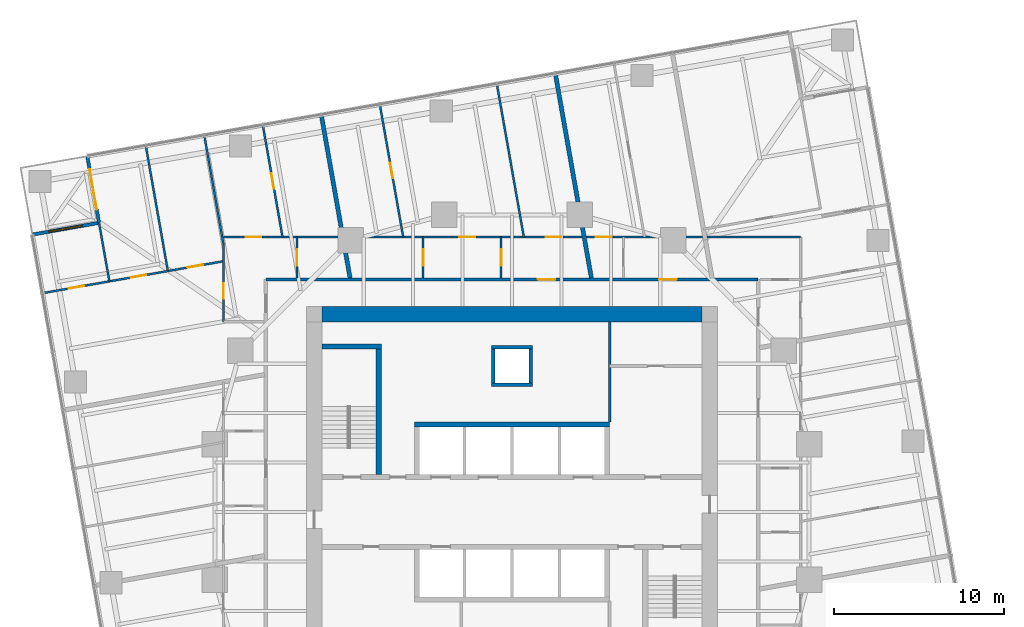
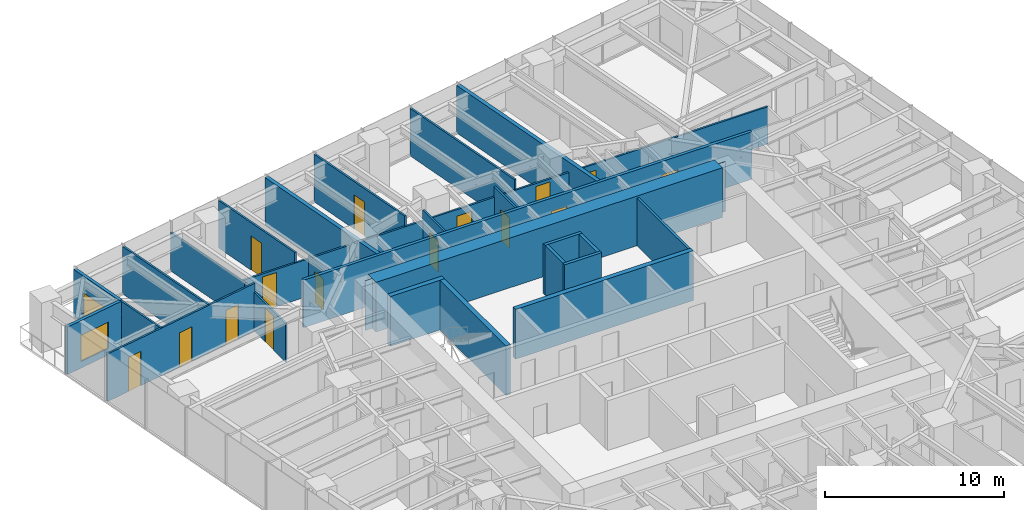
# One storey, part 12 of 14: 26 walls, 16 doors, 1 window, 17 openings.
"""IFC4 building model written with IfcOpenShell, lengths in metres."""

from ifc_helpers import new_model, si_unit, direction, frame, frame_2d, origin, place, context, subcontext, project, spatial, polyline, rectangle, outline, extrude, material, layer, layer_set, type_object, element, fill, save


model = new_model("IFC4")

# Units and contexts
model_context = context("Model", 3, precision=1e-05, world=origin(), true_north=direction((0.0, 1.0)))
body_context = subcontext(model_context, "Body", "Model", "MODEL_VIEW")
ifc_project = project(units=[si_unit("LENGTHUNIT", "METRE"), si_unit("AREAUNIT", "SQUARE_METRE"), si_unit("VOLUMEUNIT", "CUBIC_METRE"), si_unit("PLANEANGLEUNIT", "RADIAN"), si_unit("MASSUNIT", "GRAM", prefix="KILO")], contexts=[model_context])

# Site, building, storey
site_placement = place(None, origin())
site = spatial("IfcSite", under=ifc_project, at=site_placement, CompositionType="ELEMENT")
building_placement = place(site_placement, origin())
building = spatial("IfcBuilding", under=site, at=building_placement, Name="Torsade Residences", CompositionType="ELEMENT")
storey_placement = place(building_placement, frame((0.0, 0.0, 96.39990234375)))
storey = spatial("IfcBuildingStorey", under=building, at=storey_placement, Name="L26", CompositionType="ELEMENT", Elevation=96.39990234375)

# Walls
ifc_material_1 = material(Name="Concrete 80 MPa", Category="concrete")
ifc_layer_1 = layer(ifc_material_1, 0.300048828125)
ifc_layer_set_1 = layer_set([ifc_layer_1], Name="Concrete 80 MPa")
wall_type_1 = type_object("IfcWallType", Name="CORE INTERNAL WALL 300", PredefinedType="SHEAR", material=ifc_layer_set_1)
wall_1_placement = place(storey_placement, frame((34.25, 35.14990234375, 0.0), z_axis=(0.0, 0.0, 1.0), x_axis=(1.0, 0.0, 0.0)))
element("IfcWall", 1, at=wall_1_placement, inside=storey, type_object=wall_type_1, Name="Core wall BN L26", PredefinedType="SHEAR", context=body_context, shape_type="SweptSolid", body=[
    extrude(rectangle(XDim=11.5, YDim=0.300048828125, at=frame_2d((5.75, 0.0))), origin(), (0.0, 0.0, 1.0), 3.400146484375),
])
wall_2_placement = place(storey_placement, frame((32.14990234375, 32.199951171875, 0.0), z_axis=(0.0, 0.0, 1.0), x_axis=(0.0, 1.0, 0.0)))
element("IfcWall", 2, at=wall_2_placement, inside=storey, type_object=wall_type_1, Name="Core wall ST1E L26", PredefinedType="SHEAR", context=body_context, shape_type="SweptSolid", body=[
    extrude(rectangle(XDim=7.699951171875, YDim=0.300048828125, at=frame_2d((3.85009765625, 0.0))), origin(), (0.0, 0.0, 1.0), 3.400146484375),
])
wall_3_placement = place(storey_placement, frame((28.800048828125, 39.75, 0.0), z_axis=(0.0, 0.0, 1.0), x_axis=(1.0, 0.0, 0.0)))
element("IfcWall", 3, at=wall_3_placement, inside=storey, type_object=wall_type_1, Name="Core wall ST1N L26", PredefinedType="SHEAR", context=body_context, shape_type="SweptSolid", body=[
    extrude(rectangle(XDim=3.5, YDim=0.300048828125, at=frame_2d((1.75, 0.0))), origin(), (0.0, 0.0, 1.0), 3.400146484375),
])
ifc_material_2 = material(Name="Concrete 80 MPa", Category="concrete")
ifc_layer_2 = layer(ifc_material_2, 0.89990234375)
ifc_layer_set_2 = layer_set([ifc_layer_2], Name="Concrete 80 MPa")
wall_type_2 = type_object("IfcWallType", Name="CORE WALL 900", PredefinedType="SHEAR", material=ifc_layer_set_2)
wall_4_placement = place(storey_placement, frame((28.800048828125, 41.64990234375, 0.0), z_axis=(0.0, 0.0, 1.0), x_axis=(1.0, 0.0, 0.0)))
element("IfcWall", 4, at=wall_4_placement, inside=storey, type_object=wall_type_2, Name="Core wall N L26", PredefinedType="SHEAR", context=body_context, shape_type="SweptSolid", body=[
    extrude(outline(polyline([(0.0, -0.449951171875), (22.39990234375, -0.449951171875), (22.39990234375, -0.02490234375), (22.849853515625, -0.02490234375), (22.849853515625, 0.02490234375), (22.39990234375, 0.02490234375), (22.39990234375, 0.449951171875), (0.0, 0.449951171875), (0.0, 0.02490234375), (-0.449951171875, 0.02490234375), (-0.449951171875, -0.02490234375), (0.0, -0.02490234375), (0.0, -0.449951171875)])), origin(), (0.0, 0.0, 1.0), 3.400146484375),
])

# Wall, openings, doors
ifc_material_3 = material(Name="Plasterboard on steel stud", Category="steel")
ifc_layer_3 = layer(ifc_material_3, 0.199951171875)
ifc_layer_set_3 = layer_set([ifc_layer_3], Name="Plasterboard on steel stud")
wall_type_3 = type_object("IfcWallType", Name="CORRIDOR WALL 200", PredefinedType="PARTITIONING", material=ifc_layer_set_3)
wall_5_placement = place(storey_placement, frame((54.5, 43.699951171875, 0.0), z_axis=(0.0, 0.0, 1.0), x_axis=(-1.0, 0.0, 0.0)))
wall_5 = element("IfcWall", 5, at=wall_5_placement, inside=storey, type_object=wall_type_3, Name="Corridor wall L26", PredefinedType="PARTITIONING", context=body_context, shape_type="SweptSolid", body=[
    extrude(rectangle(XDim=29.0, YDim=0.199951171875, at=frame_2d((14.5, 0.0))), origin(), (0.0, 0.0, 1.0), 3.25),
])
opening_1_placement = place(wall_5_placement, frame((11.95068359375, 0.0, 0.0)))
opening_1 = element("IfcOpeningElement", 6, at=opening_1_placement, cuts=wall_5, Name="Opening D01", PredefinedType="OPENING", context=body_context, shape_type="SweptSolid", body=[
    extrude(rectangle(XDim=1.02001953125, YDim=2.340087890625, at=frame_2d((0.510009765625, 1.169921875))), frame((0.0, 0.10986328125, 0.0), z_axis=(0.0, -1.0, 0.0), x_axis=(1.0, 0.0, 0.0)), (0.0, 0.0, 1.0), 0.219970703125),
])
opening_2_placement = place(wall_5_placement, frame((4.79541015625, 0.0, 0.0)))
opening_2 = element("IfcOpeningElement", 7, at=opening_2_placement, cuts=wall_5, Name="Opening D01", PredefinedType="OPENING", context=body_context, shape_type="SweptSolid", body=[
    extrude(rectangle(XDim=1.02001953125, YDim=2.340087890625, at=frame_2d((0.510009765625, 1.169921875))), frame((0.0, 0.10986328125, 0.0), z_axis=(0.0, -1.0, 0.0), x_axis=(1.0, 0.0, 0.0)), (0.0, 0.0, 1.0), 0.219970703125),
])
ifc_material_4 = material(Name="Solid-core timber fire door", Category="wood")
door_type_1 = type_object("IfcDoorType", Name="APARTMENT ENTRY DOOR 1020x2340", OperationType="NOTDEFINED", PredefinedType="DOOR", material=ifc_material_4)
door_1_placement = place(opening_1_placement, origin())
door_1 = element("IfcDoor", 8, at=door_1_placement, inside=storey, type_object=door_type_1, Name="Door Residential corridor to Kitchen and dining", OperationType="SINGLE_SWING_LEFT", OverallHeight=2.340087890625, OverallWidth=1.02001953125, PredefinedType="DOOR", context=body_context, shape_type="SweptSolid", body=[
    extrude(rectangle(XDim=1.02001953125, YDim=2.340087890625, at=frame_2d((0.510009765625, 1.169921875))), frame((0.0, 0.02490234375, 0.0), z_axis=(0.0, -1.0, 0.0), x_axis=(1.0, 0.0, 0.0)), (0.0, 0.0, 1.0), 0.050048828125),
])
fill(opening_1, door_1)
door_2_placement = place(opening_2_placement, origin())
door_2 = element("IfcDoor", 9, at=door_2_placement, inside=storey, type_object=door_type_1, Name="Door Residential corridor to Kitchen and dining", OperationType="SINGLE_SWING_RIGHT", OverallHeight=2.340087890625, OverallWidth=1.02001953125, PredefinedType="DOOR", context=body_context, shape_type="SweptSolid", body=[
    extrude(rectangle(XDim=1.02001953125, YDim=2.340087890625, at=frame_2d((0.510009765625, 1.169921875))), frame((0.0, 0.02490234375, 0.0), z_axis=(0.0, -1.0, 0.0), x_axis=(1.0, 0.0, 0.0)), (0.0, 0.0, 1.0), 0.050048828125),
])
fill(opening_2, door_2)

ifc_material_5 = material(Name="Plasterboard on steel stud", Category="steel")
ifc_layer_4 = layer(ifc_material_5, 0.1201171875)
ifc_layer_set_4 = layer_set([ifc_layer_4], Name="Plasterboard on steel stud")
wall_type_4 = type_object("IfcWallType", Name="PARTITION 120", PredefinedType="PARTITIONING", material=ifc_layer_set_4)
wall_6_placement = place(storey_placement, frame((23.0, 46.199951171875, 0.0), z_axis=(0.0, 0.0, 1.0), x_axis=(1.0, 0.0, 0.0)))
wall_6 = element("IfcWall", 10, at=wall_6_placement, inside=storey, type_object=wall_type_4, Name="Partition L26", PredefinedType="PARTITIONING", context=body_context, shape_type="SweptSolid", body=[
    extrude(rectangle(XDim=34.0, YDim=0.1201171875, at=frame_2d((17.0, 0.0))), origin(), (0.0, 0.0, 1.0), 2.550048828125),
])
opening_3_placement = place(wall_6_placement, frame((18.989013671875, 0.0, 0.0)))
opening_3 = element("IfcOpeningElement", 11, at=opening_3_placement, cuts=wall_6, Name="Opening D02", PredefinedType="OPENING", context=body_context, shape_type="SweptSolid", body=[
    extrude(rectangle(XDim=0.919921875, YDim=2.340087890625, at=frame_2d((0.4599609375, 1.169921875))), frame((0.0, 0.070068359375, 0.0), z_axis=(0.0, -1.0, 0.0), x_axis=(1.0, 0.0, 0.0)), (0.0, 0.0, 1.0), 0.14013671875),
])
opening_4_placement = place(wall_6_placement, frame((1.30615234375, 0.0, 0.0)))
opening_4 = element("IfcOpeningElement", 12, at=opening_4_placement, cuts=wall_6, Name="Opening D02", PredefinedType="OPENING", context=body_context, shape_type="SweptSolid", body=[
    extrude(rectangle(XDim=0.919921875, YDim=2.340087890625, at=frame_2d((0.4599609375, 1.169921875))), frame((0.0, 0.070068359375, 0.0), z_axis=(0.0, -1.0, 0.0), x_axis=(1.0, 0.0, 0.0)), (0.0, 0.0, 1.0), 0.14013671875),
])
opening_5_placement = place(wall_6_placement, frame((13.883544921875, 0.0, 0.0)))
opening_5 = element("IfcOpeningElement", 13, at=opening_5_placement, cuts=wall_6, Name="Opening D05", PredefinedType="OPENING", context=body_context, shape_type="SweptSolid", body=[
    extrude(rectangle(XDim=0.9599609375, YDim=2.10009765625, at=frame_2d((0.47998046875, 1.050048828125))), frame((0.0, 0.070068359375, 0.0), z_axis=(0.0, -1.0, 0.0), x_axis=(1.0, 0.0, 0.0)), (0.0, 0.0, 1.0), 0.14013671875),
])
opening_6_placement = place(wall_6_placement, frame((21.929443359375, 0.0, 0.0)))
opening_6 = element("IfcOpeningElement", 14, at=opening_6_placement, cuts=wall_6, Name="Opening D05", PredefinedType="OPENING", context=body_context, shape_type="SweptSolid", body=[
    extrude(rectangle(XDim=0.9599609375, YDim=2.10009765625, at=frame_2d((0.47998046875, 1.050048828125))), frame((0.0, 0.070068359375, 0.0), z_axis=(0.0, -1.0, 0.0), x_axis=(1.0, 0.0, 0.0)), (0.0, 0.0, 1.0), 0.14013671875),
])
ifc_material_6 = material(Name="Hollow-core timber door in a steel cavity frame", Category="steel")
door_type_2 = type_object("IfcDoorType", Name="BATHROOM CAVITY SLIDING DOOR 960", OperationType="SLIDING_TO_LEFT", PredefinedType="DOOR", material=ifc_material_6)
door_3_placement = place(opening_5_placement, origin())
door_3 = element("IfcDoor", 15, at=door_3_placement, inside=storey, type_object=door_type_2, Name="Door Bathroom to Living room", OperationType="SLIDING_TO_LEFT", OverallHeight=2.10009765625, OverallWidth=0.9599609375, PredefinedType="DOOR", context=body_context, shape_type="SweptSolid", body=[
    extrude(rectangle(XDim=0.9599609375, YDim=2.10009765625, at=frame_2d((0.47998046875, 1.050048828125))), frame((0.0, 0.02490234375, 0.0), z_axis=(0.0, -1.0, 0.0), x_axis=(1.0, 0.0, 0.0)), (0.0, 0.0, 1.0), 0.050048828125),
])
fill(opening_5, door_3)
door_4_placement = place(opening_6_placement, origin())
door_4 = element("IfcDoor", 16, at=door_4_placement, inside=storey, type_object=door_type_2, Name="Door Bathroom to Bedroom 1", OperationType="SLIDING_TO_LEFT", OverallHeight=2.10009765625, OverallWidth=0.9599609375, PredefinedType="DOOR", context=body_context, shape_type="SweptSolid", body=[
    extrude(rectangle(XDim=0.9599609375, YDim=2.10009765625, at=frame_2d((0.47998046875, 1.050048828125))), frame((0.0, 0.02490234375, 0.0), z_axis=(0.0, -1.0, 0.0), x_axis=(1.0, 0.0, 0.0)), (0.0, 0.0, 1.0), 0.050048828125),
])
fill(opening_6, door_4)
ifc_material_7 = material(Name="Hollow-core timber door", Category="wood")
door_type_3 = type_object("IfcDoorType", Name="INTERNAL DOOR 920x2340", OperationType="NOTDEFINED", PredefinedType="DOOR", material=ifc_material_7)
door_5_placement = place(opening_3_placement, origin())
door_5 = element("IfcDoor", 17, at=door_5_placement, inside=storey, type_object=door_type_3, Name="Door Kitchen and dining to Bedroom 1", OperationType="SINGLE_SWING_RIGHT", OverallHeight=2.340087890625, OverallWidth=0.919921875, PredefinedType="DOOR", context=body_context, shape_type="SweptSolid", body=[
    extrude(rectangle(XDim=0.919921875, YDim=2.340087890625, at=frame_2d((0.4599609375, 1.169921875))), frame((0.0, 0.02490234375, 0.0), z_axis=(0.0, -1.0, 0.0), x_axis=(1.0, 0.0, 0.0)), (0.0, 0.0, 1.0), 0.050048828125),
])
fill(opening_3, door_5)
door_6_placement = place(opening_4_placement, origin())
door_6 = element("IfcDoor", 18, at=door_6_placement, inside=storey, type_object=door_type_3, Name="Door Kitchen and dining to Family room", OperationType="SINGLE_SWING_RIGHT", OverallHeight=2.340087890625, OverallWidth=0.919921875, PredefinedType="DOOR", context=body_context, shape_type="SweptSolid", body=[
    extrude(rectangle(XDim=0.919921875, YDim=2.340087890625, at=frame_2d((0.4599609375, 1.169921875))), frame((0.0, 0.02490234375, 0.0), z_axis=(0.0, -1.0, 0.0), x_axis=(1.0, 0.0, 0.0)), (0.0, 0.0, 1.0), 0.050048828125),
])
fill(opening_4, door_6)

# Wall, opening, door
wall_7_placement = place(storey_placement, frame((39.36474609375, 43.800048828125, 0.0), z_axis=(0.0, 0.0, 1.0), x_axis=(0.0, 1.0, 0.0)))
wall_7 = element("IfcWall", 19, at=wall_7_placement, inside=storey, type_object=wall_type_4, Name="Partition L26", PredefinedType="PARTITIONING", context=body_context, shape_type="SweptSolid", body=[
    extrude(rectangle(XDim=2.39990234375, YDim=0.1201171875, at=frame_2d((1.199951171875, 0.0))), origin(), (0.0, 0.0, 1.0), 3.25),
])
opening_7_placement = place(wall_7_placement, frame((0.719970703125, 0.0, 0.0)))
opening_7 = element("IfcOpeningElement", 20, at=opening_7_placement, cuts=wall_7, Name="Opening D05", PredefinedType="OPENING", context=body_context, shape_type="SweptSolid", body=[
    extrude(rectangle(XDim=0.9599609375, YDim=2.10009765625, at=frame_2d((0.47998046875, 1.050048828125))), frame((0.0, 0.070068359375, 0.0), z_axis=(0.0, -1.0, 0.0), x_axis=(1.0, 0.0, 0.0)), (0.0, 0.0, 1.0), 0.14013671875),
])
door_7_placement = place(opening_7_placement, origin())
door_7 = element("IfcDoor", 21, at=door_7_placement, inside=storey, type_object=door_type_2, Name="Door Kitchen and dining to Bathroom", OperationType="SLIDING_TO_LEFT", OverallHeight=2.10009765625, OverallWidth=0.9599609375, PredefinedType="DOOR", context=body_context, shape_type="SweptSolid", body=[
    extrude(rectangle(XDim=0.9599609375, YDim=2.10009765625, at=frame_2d((0.47998046875, 1.050048828125))), frame((0.0, 0.02490234375, 0.0), z_axis=(0.0, -1.0, 0.0), x_axis=(1.0, 0.0, 0.0)), (0.0, 0.0, 1.0), 0.050048828125),
])
fill(opening_7, door_7)

wall_8_placement = place(storey_placement, frame((34.7626953125, 43.800048828125, 0.0), z_axis=(0.0, 0.0, 1.0), x_axis=(0.0, 1.0, 0.0)))
wall_8 = element("IfcWall", 22, at=wall_8_placement, inside=storey, type_object=wall_type_4, Name="Partition L26", PredefinedType="PARTITIONING", context=body_context, shape_type="SweptSolid", body=[
    extrude(rectangle(XDim=2.39990234375, YDim=0.1201171875, at=frame_2d((1.199951171875, 0.0))), origin(), (0.0, 0.0, 1.0), 3.25),
])
opening_8_placement = place(wall_8_placement, frame((0.719970703125, 0.0, 0.0)))
opening_8 = element("IfcOpeningElement", 23, at=opening_8_placement, cuts=wall_8, Name="Opening D05", PredefinedType="OPENING", context=body_context, shape_type="SweptSolid", body=[
    extrude(rectangle(XDim=0.9599609375, YDim=2.10009765625, at=frame_2d((0.47998046875, 1.050048828125))), frame((0.0, 0.070068359375, 0.0), z_axis=(0.0, -1.0, 0.0), x_axis=(1.0, 0.0, 0.0)), (0.0, 0.0, 1.0), 0.14013671875),
])
door_8_placement = place(opening_8_placement, origin())
door_8 = element("IfcDoor", 24, at=door_8_placement, inside=storey, type_object=door_type_2, Name="Door Bathroom to Ensuite", OperationType="SLIDING_TO_LEFT", OverallHeight=2.10009765625, OverallWidth=0.9599609375, PredefinedType="DOOR", context=body_context, shape_type="SweptSolid", body=[
    extrude(rectangle(XDim=0.9599609375, YDim=2.10009765625, at=frame_2d((0.47998046875, 1.050048828125))), frame((0.0, 0.02490234375, 0.0), z_axis=(0.0, -1.0, 0.0), x_axis=(1.0, 0.0, 0.0)), (0.0, 0.0, 1.0), 0.050048828125),
])
fill(opening_8, door_8)

# Wall
wall_9_placement = place(storey_placement, frame((39.112548828125, 55.1884765625, 0.0), z_axis=(0.0, 0.0, 1.0), x_axis=(0.173652576186, -0.984806977424, 0.0)))
element("IfcWall", 25, at=wall_9_placement, inside=storey, type_object=wall_type_4, Name="Partition L26", PredefinedType="PARTITIONING", context=body_context, shape_type="SweptSolid", body=[
    extrude(rectangle(XDim=9.127197265625, YDim=0.1201171875, at=frame_2d((4.5634765625, 0.0))), origin(), (0.0, 0.0, 1.0), 3.25),
])

# Wall, opening, door
wall_10_placement = place(storey_placement, frame((33.589599609375, 46.199951171875, 0.0), z_axis=(0.0, 0.0, 1.0), x_axis=(-0.173645935638, 0.98480814834, 0.0)))
wall_10 = element("IfcWall", 26, at=wall_10_placement, inside=storey, type_object=wall_type_4, Name="Partition L26", PredefinedType="PARTITIONING", context=body_context, shape_type="SweptSolid", body=[
    extrude(rectangle(XDim=7.89306640625, YDim=0.1201171875, at=frame_2d((3.946533203125, 0.0))), origin(), (0.0, 0.0, 1.0), 3.25),
])
opening_9_placement = place(wall_10_placement, frame((3.506591796875, 0.0, 0.0)))
opening_9 = element("IfcOpeningElement", 27, at=opening_9_placement, cuts=wall_10, Name="Opening D02", PredefinedType="OPENING", context=body_context, shape_type="SweptSolid", body=[
    extrude(rectangle(XDim=0.919921875, YDim=2.340087890625, at=frame_2d((0.4599609375, 1.169921875))), frame((0.0, 0.070068359375, 0.0), z_axis=(0.0, -1.0, 0.0), x_axis=(1.0, 0.0, 0.0)), (0.0, 0.0, 1.0), 0.14013671875),
])
door_9_placement = place(opening_9_placement, origin())
door_9 = element("IfcDoor", 28, at=door_9_placement, inside=storey, type_object=door_type_3, Name="Door Living room to Bedroom 2", OperationType="SINGLE_SWING_LEFT", OverallHeight=2.340087890625, OverallWidth=0.919921875, PredefinedType="DOOR", context=body_context, shape_type="SweptSolid", body=[
    extrude(rectangle(XDim=0.919921875, YDim=2.340087890625, at=frame_2d((0.4599609375, 1.169921875))), frame((0.0, 0.02490234375, 0.0), z_axis=(0.0, -1.0, 0.0), x_axis=(1.0, 0.0, 0.0)), (0.0, 0.0, 1.0), 0.050048828125),
])
fill(opening_9, door_9)

wall_11_placement = place(storey_placement, frame((27.334716796875, 46.199951171875, 0.0), z_axis=(0.0, 0.0, 1.0), x_axis=(0.0, -1.0, 0.0)))
wall_11 = element("IfcWall", 29, at=wall_11_placement, inside=storey, type_object=wall_type_4, Name="Partition L26", PredefinedType="PARTITIONING", context=body_context, shape_type="SweptSolid", body=[
    extrude(rectangle(XDim=2.39990234375, YDim=0.1201171875, at=frame_2d((1.199951171875, 0.0))), origin(), (0.0, 0.0, 1.0), 2.72216796875),
])
opening_10_placement = place(wall_11_placement, frame((0.719970703125, 0.0, 0.0)))
opening_10 = element("IfcOpeningElement", 30, at=opening_10_placement, cuts=wall_11, Name="Opening D05", PredefinedType="OPENING", context=body_context, shape_type="SweptSolid", body=[
    extrude(rectangle(XDim=0.9599609375, YDim=2.10009765625, at=frame_2d((0.47998046875, 1.050048828125))), frame((0.0, 0.070068359375, 0.0), z_axis=(0.0, -1.0, 0.0), x_axis=(1.0, 0.0, 0.0)), (0.0, 0.0, 1.0), 0.14013671875),
])
door_10_placement = place(opening_10_placement, origin())
door_10 = element("IfcDoor", 31, at=door_10_placement, inside=storey, type_object=door_type_2, Name="Door Kitchen and dining to Ensuite", OperationType="SLIDING_TO_LEFT", OverallHeight=2.10009765625, OverallWidth=0.9599609375, PredefinedType="DOOR", context=body_context, shape_type="SweptSolid", body=[
    extrude(rectangle(XDim=0.9599609375, YDim=2.10009765625, at=frame_2d((0.47998046875, 1.050048828125))), frame((0.0, 0.02490234375, 0.0), z_axis=(0.0, -1.0, 0.0), x_axis=(1.0, 0.0, 0.0)), (0.0, 0.0, 1.0), 0.050048828125),
])
fill(opening_10, door_10)

wall_12_placement = place(storey_placement, frame((23.0, 41.207763671875, 0.0), z_axis=(0.0, 0.0, 1.0), x_axis=(0.0, 1.0, 0.0)))
wall_12 = element("IfcWall", 32, at=wall_12_placement, inside=storey, type_object=wall_type_4, Name="Partition L26", PredefinedType="PARTITIONING", context=body_context, shape_type="SweptSolid", body=[
    extrude(rectangle(XDim=4.581298828125, YDim=0.1201171875, at=frame_2d((2.29052734375, 0.0))), origin(), (0.0, 0.0, 1.0), 2.63818359375),
])
opening_11_placement = place(wall_12_placement, frame((1.34765625, 0.0, 0.0)))
opening_11 = element("IfcOpeningElement", 33, at=opening_11_placement, cuts=wall_12, Name="Opening D02", PredefinedType="OPENING", context=body_context, shape_type="SweptSolid", body=[
    extrude(rectangle(XDim=0.919921875, YDim=2.340087890625, at=frame_2d((0.4599609375, 1.169921875))), frame((0.0, 0.070068359375, 0.0), z_axis=(0.0, -1.0, 0.0), x_axis=(1.0, 0.0, 0.0)), (0.0, 0.0, 1.0), 0.14013671875),
])
door_11_placement = place(opening_11_placement, origin())
door_11 = element("IfcDoor", 34, at=door_11_placement, inside=storey, type_object=door_type_3, Name="Door Kitchen and dining to Living room", OperationType="SINGLE_SWING_RIGHT", OverallHeight=2.340087890625, OverallWidth=0.919921875, PredefinedType="DOOR", context=body_context, shape_type="SweptSolid", body=[
    extrude(rectangle(XDim=0.919921875, YDim=2.340087890625, at=frame_2d((0.4599609375, 1.169921875))), frame((0.0, 0.02490234375, 0.0), z_axis=(0.0, -1.0, 0.0), x_axis=(1.0, 0.0, 0.0)), (0.0, 0.0, 1.0), 0.050048828125),
])
fill(opening_11, door_11)

# Wall, openings, doors
wall_13_placement = place(storey_placement, frame((12.38037109375, 42.89990234375, 0.0), z_axis=(0.0, 0.0, 1.0), x_axis=(0.984807253583, 0.173651010046, 0.0)))
wall_13 = element("IfcWall", 35, at=wall_13_placement, inside=storey, type_object=wall_type_4, Name="Partition L26", PredefinedType="PARTITIONING", context=body_context, shape_type="SweptSolid", body=[
    extrude(rectangle(XDim=10.783447265625, YDim=0.1201171875, at=frame_2d((5.3916015625, 0.0))), origin(), (0.0, 0.0, 1.0), 3.25),
])
opening_12_placement = place(wall_13_placement, frame((1.525146484375, 0.0, 0.0)))
opening_12 = element("IfcOpeningElement", 36, at=opening_12_placement, cuts=wall_13, Name="Opening D02", PredefinedType="OPENING", context=body_context, shape_type="SweptSolid", body=[
    extrude(rectangle(XDim=0.919921875, YDim=2.340087890625, at=frame_2d((0.4599609375, 1.169921875))), frame((0.0, 0.070068359375, 0.0), z_axis=(0.0, -1.0, 0.0), x_axis=(1.0, 0.0, 0.0)), (0.0, 0.0, 1.0), 0.14013671875),
])
opening_13_placement = place(wall_13_placement, frame((5.25, 0.0, 0.0)))
opening_13 = element("IfcOpeningElement", 37, at=opening_13_placement, cuts=wall_13, Name="Opening D02", PredefinedType="OPENING", context=body_context, shape_type="SweptSolid", body=[
    extrude(rectangle(XDim=0.919921875, YDim=2.340087890625, at=frame_2d((0.4599609375, 1.169921875))), frame((0.0, 0.070068359375, 0.0), z_axis=(0.0, -1.0, 0.0), x_axis=(1.0, 0.0, 0.0)), (0.0, 0.0, 1.0), 0.14013671875),
])
opening_14_placement = place(wall_13_placement, frame((8.63671875, 0.0, 0.0)))
opening_14 = element("IfcOpeningElement", 38, at=opening_14_placement, cuts=wall_13, Name="Opening D02", PredefinedType="OPENING", context=body_context, shape_type="SweptSolid", body=[
    extrude(rectangle(XDim=0.919921875, YDim=2.340087890625, at=frame_2d((0.4599609375, 1.169921875))), frame((0.0, 0.070068359375, 0.0), z_axis=(0.0, -1.0, 0.0), x_axis=(1.0, 0.0, 0.0)), (0.0, 0.0, 1.0), 0.14013671875),
])
door_12_placement = place(opening_12_placement, origin())
door_12 = element("IfcDoor", 39, at=door_12_placement, inside=storey, type_object=door_type_3, Name="Door Living room to Media room", OperationType="SINGLE_SWING_RIGHT", OverallHeight=2.340087890625, OverallWidth=0.919921875, PredefinedType="DOOR", context=body_context, shape_type="SweptSolid", body=[
    extrude(rectangle(XDim=0.919921875, YDim=2.340087890625, at=frame_2d((0.4599609375, 1.169921875))), frame((0.0, 0.02490234375, 0.0), z_axis=(0.0, -1.0, 0.0), x_axis=(1.0, 0.0, 0.0)), (0.0, 0.0, 1.0), 0.050048828125),
])
fill(opening_12, door_12)
door_13_placement = place(opening_13_placement, origin())
door_13 = element("IfcDoor", 40, at=door_13_placement, inside=storey, type_object=door_type_3, Name="Door Living room to Bedroom 1", OperationType="SINGLE_SWING_RIGHT", OverallHeight=2.340087890625, OverallWidth=0.919921875, PredefinedType="DOOR", context=body_context, shape_type="SweptSolid", body=[
    extrude(rectangle(XDim=0.919921875, YDim=2.340087890625, at=frame_2d((0.4599609375, 1.169921875))), frame((0.0, 0.02490234375, 0.0), z_axis=(0.0, -1.0, 0.0), x_axis=(1.0, 0.0, 0.0)), (0.0, 0.0, 1.0), 0.050048828125),
])
fill(opening_13, door_13)
door_14_placement = place(opening_14_placement, origin())
door_14 = element("IfcDoor", 41, at=door_14_placement, inside=storey, type_object=door_type_3, Name="Door Living room to Bedroom 2", OperationType="SINGLE_SWING_LEFT", OverallHeight=2.340087890625, OverallWidth=0.919921875, PredefinedType="DOOR", context=body_context, shape_type="SweptSolid", body=[
    extrude(rectangle(XDim=0.919921875, YDim=2.340087890625, at=frame_2d((0.4599609375, 1.169921875))), frame((0.0, 0.02490234375, 0.0), z_axis=(0.0, -1.0, 0.0), x_axis=(1.0, 0.0, 0.0)), (0.0, 0.0, 1.0), 0.050048828125),
])
fill(opening_14, door_14)

# Walls
wall_14_placement = place(storey_placement, frame((18.431640625, 51.5419921875, 0.0), z_axis=(0.0, 0.0, 1.0), x_axis=(0.173647177755, -0.984807929323, 0.0)))
element("IfcWall", 42, at=wall_14_placement, inside=storey, type_object=wall_type_4, Name="Partition L26", PredefinedType="PARTITIONING", context=body_context, shape_type="SweptSolid", body=[
    extrude(rectangle(XDim=7.4599609375, YDim=0.1201171875, at=frame_2d((3.72998046875, 0.0))), origin(), (0.0, 0.0, 1.0), 3.25),
])
wall_15_placement = place(storey_placement, frame((16.2802734375, 43.587646484375, 0.0), z_axis=(0.0, 0.0, 1.0), x_axis=(-0.173660541335, 0.984805572884, 0.0)))
element("IfcWall", 43, at=wall_15_placement, inside=storey, type_object=wall_type_4, Name="Partition L26", PredefinedType="PARTITIONING", context=body_context, shape_type="SweptSolid", body=[
    extrude(rectangle(XDim=3.459716796875, YDim=0.1201171875, at=frame_2d((1.72998046875, 0.0))), origin(), (0.0, 0.0, 1.0), 3.25),
])
wall_16_placement = place(storey_placement, frame((21.87841796875, 52.149658203125, 0.0), z_axis=(0.0, 0.0, 1.0), x_axis=(0.173653792983, -0.984806762864, 0.0)))
element("IfcWall", 44, at=wall_16_placement, inside=storey, type_object=wall_type_4, Name="Partition L26", PredefinedType="PARTITIONING", context=body_context, shape_type="SweptSolid", body=[
    extrude(rectangle(XDim=6.458740234375, YDim=0.1201171875, at=frame_2d((3.2294921875, 0.0))), origin(), (0.0, 0.0, 1.0), 2.63818359375),
])

# Wall, opening, door
wall_17_placement = place(storey_placement, frame((26.4814453125, 46.199951171875, 0.0), z_axis=(0.0, 0.0, 1.0), x_axis=(-0.173643103339, 0.98480864774, 0.0)))
wall_17 = element("IfcWall", 45, at=wall_17_placement, inside=storey, type_object=wall_type_4, Name="Partition L26", PredefinedType="PARTITIONING", context=body_context, shape_type="SweptSolid", body=[
    extrude(rectangle(XDim=6.65869140625, YDim=0.1201171875, at=frame_2d((3.329345703125, 0.0))), origin(), (0.0, 0.0, 1.0), 3.25),
])
opening_15_placement = place(wall_17_placement, frame((2.889404296875, 0.0, 0.0)))
opening_15 = element("IfcOpeningElement", 46, at=opening_15_placement, cuts=wall_17, Name="Opening D02", PredefinedType="OPENING", context=body_context, shape_type="SweptSolid", body=[
    extrude(rectangle(XDim=0.919921875, YDim=2.340087890625, at=frame_2d((0.4599609375, 1.169921875))), frame((0.0, 0.070068359375, 0.0), z_axis=(0.0, -1.0, 0.0), x_axis=(1.0, 0.0, 0.0)), (0.0, 0.0, 1.0), 0.14013671875),
])
door_15_placement = place(opening_15_placement, origin())
door_15 = element("IfcDoor", 47, at=door_15_placement, inside=storey, type_object=door_type_3, Name="Door Family room to Study", OperationType="SINGLE_SWING_LEFT", OverallHeight=2.340087890625, OverallWidth=0.919921875, PredefinedType="DOOR", context=body_context, shape_type="SweptSolid", body=[
    extrude(rectangle(XDim=0.919921875, YDim=2.340087890625, at=frame_2d((0.4599609375, 1.169921875))), frame((0.0, 0.02490234375, 0.0), z_axis=(0.0, -1.0, 0.0), x_axis=(1.0, 0.0, 0.0)), (0.0, 0.0, 1.0), 0.050048828125),
])
fill(opening_15, door_15)

# Walls
ifc_material_8 = material(Name="Masonry-lined stud party wall", Category="masonry")
ifc_layer_5 = layer(ifc_material_8, 0.25)
ifc_layer_set_5 = layer_set([ifc_layer_5], Name="Masonry-lined stud party wall")
wall_type_5 = type_object("IfcWallType", Name="PARTY WALL 250", PredefinedType="PARTITIONING", material=ifc_layer_set_5)
wall_18_placement = place(storey_placement, frame((42.552490234375, 55.835693359375, 0.0), z_axis=(0.0, 0.0, 1.0), x_axis=(0.173639677872, -0.984809251718, 0.0)))
element("IfcWall", 48, at=wall_18_placement, inside=storey, type_object=wall_type_5, Name="Party wall L26", PredefinedType="PARTITIONING", context=body_context, shape_type="SweptSolid", body=[
    extrude(rectangle(XDim=12.239501953125, YDim=0.25, at=frame_2d((6.11962890625, 0.0))), origin(), (0.0, 0.0, 1.0), 3.25),
])
wall_19_placement = place(storey_placement, frame((28.76513671875, 53.404541015625, 0.0), z_axis=(0.0, 0.0, 1.0), x_axis=(0.173658469802, -0.984805938176, 0.0)))
element("IfcWall", 49, at=wall_19_placement, inside=storey, type_object=wall_type_5, Name="Party wall L26", PredefinedType="PARTITIONING", context=body_context, shape_type="SweptSolid", body=[
    extrude(rectangle(XDim=9.770751953125, YDim=0.25, at=frame_2d((4.88525390625, 0.0))), origin(), (0.0, 0.0, 1.0), 3.25),
])
ifc_material_9 = material(Name="Reinforced blockwork", Category="masonry")
ifc_layer_6 = layer(ifc_material_9, 0.199951171875)
ifc_layer_set_6 = layer_set([ifc_layer_6], Name="Reinforced blockwork")
wall_type_6 = type_object("IfcWallType", Name="RISER SHAFT WALL 200", PredefinedType="SOLIDWALL", material=ifc_layer_set_6)
for number, where, z_axis, x_axis, name in (
    (50, (38.89990234375, 37.60009765625, 0.0), (0.0, 0.0, 1.0), (0.0, 1.0, 0.0), "Core wall RS1a L26"),
    (51, (41.10009765625, 37.60009765625, 0.0), (0.0, 0.0, 1.0), (0.0, 1.0, 0.0), "Core wall RS1b L26"),
):
    element("IfcWall", number, at=place(storey_placement, frame(where, z_axis=z_axis, x_axis=x_axis)), inside=storey, type_object=wall_type_6, Name=name, PredefinedType="SOLIDWALL", context=body_context, shape_type="SweptSolid", body=[
        extrude(rectangle(XDim=2.0, YDim=0.199951171875, at=frame_2d((1.0, 0.0))), origin(), (0.0, 0.0, 1.0), 3.400146484375),
    ])
for number, where, z_axis, x_axis, name in (
    (52, (38.800048828125, 37.5, 0.0), (0.0, 0.0, 1.0), (1.0, 0.0, 0.0), "Core wall RS1c L26"),
    (53, (38.800048828125, 39.699951171875, 0.0), (0.0, 0.0, 1.0), (1.0, 0.0, 0.0), "Core wall RS1d L26"),
):
    element("IfcWall", number, at=place(storey_placement, frame(where, z_axis=z_axis, x_axis=x_axis)), inside=storey, type_object=wall_type_6, Name=name, PredefinedType="SOLIDWALL", context=body_context, shape_type="SweptSolid", body=[
        extrude(rectangle(XDim=2.39990234375, YDim=0.199951171875, at=frame_2d((1.199951171875, 0.0))), origin(), (0.0, 0.0, 1.0), 3.400146484375),
    ])
ifc_material_10 = material(Name="Reinforced blockwork", Category="masonry")
ifc_layer_7 = layer(ifc_material_10, 0.14990234375)
ifc_layer_set_7 = layer_set([ifc_layer_7], Name="Reinforced blockwork")
wall_type_7 = type_object("IfcWallType", Name="SERVICE ROOM WALL 150", PredefinedType="SOLIDWALL", material=ifc_layer_set_7)
wall_20_placement = place(storey_placement, frame((45.75, 41.199951171875, 0.0), z_axis=(0.0, 0.0, 1.0), x_axis=(0.0, -1.0, 0.0)))
element("IfcWall", 54, at=wall_20_placement, inside=storey, type_object=wall_type_7, Name="Service room wall L26", PredefinedType="SOLIDWALL", context=body_context, shape_type="SweptSolid", body=[
    extrude(rectangle(XDim=5.89990234375, YDim=0.14990234375, at=frame_2d((2.949951171875, 0.0))), origin(), (0.0, 0.0, 1.0), 3.25),
])

# Wall, opening, door
ifc_material_11 = material(Name="Stone-faced precast concrete 40 MPa panel", Category="masonry")
ifc_layer_8 = layer(ifc_material_11, 0.199951171875)
ifc_layer_set_8 = layer_set([ifc_layer_8], Name="Stone-faced precast concrete 40 MPa panel")
wall_type_8 = type_object("IfcWallType", Name="TERRACE WALL 200", PredefinedType="SOLIDWALL", material=ifc_layer_set_8)
wall_21_placement = place(storey_placement, frame((14.977783203125, 50.9736328125, 0.0), z_axis=(0.0, 0.0, 1.0), x_axis=(0.173646056486, -0.984808127031, 0.0)))
wall_21 = element("IfcWall", 55, at=wall_21_placement, inside=storey, type_object=wall_type_8, Name="Terrace wall L26 8", PredefinedType="SOLIDWALL", context=body_context, shape_type="SweptSolid", body=[
    extrude(rectangle(XDim=4.0, YDim=0.199951171875, at=frame_2d((2.0, 0.0))), origin(), (0.0, 0.0, 1.0), 3.25),
])
opening_16_placement = place(wall_21_placement, frame((0.800048828125, 0.0, 0.0)))
opening_16 = element("IfcOpeningElement", 56, at=opening_16_placement, cuts=wall_21, Name="Opening D10A", PredefinedType="OPENING", context=body_context, shape_type="SweptSolid", body=[
    extrude(rectangle(XDim=2.39990234375, YDim=2.10009765625, at=frame_2d((1.199951171875, 1.050048828125))), frame((0.0, 0.10986328125, 0.0), z_axis=(0.0, -1.0, 0.0), x_axis=(1.0, 0.0, 0.0)), (0.0, 0.0, 1.0), 0.219970703125),
])
ifc_material_12 = material(Name="Aluminium-framed glass door", Category="aluminium")
door_type_4 = type_object("IfcDoorType", Name="TERRACE SLIDING DOOR 2400x2100", OperationType="SLIDING_TO_LEFT", PredefinedType="DOOR", material=ifc_material_12)
door_16_placement = place(opening_16_placement, origin())
door_16 = element("IfcDoor", 57, at=door_16_placement, inside=storey, type_object=door_type_4, Name="Terrace door L26 8", OperationType="SLIDING_TO_LEFT", OverallHeight=2.10009765625, OverallWidth=2.39990234375, PredefinedType="DOOR", context=body_context, shape_type="SweptSolid", body=[
    extrude(rectangle(XDim=2.39990234375, YDim=2.10009765625, at=frame_2d((1.199951171875, 1.050048828125))), frame((0.0, 0.02490234375, 0.0), z_axis=(0.0, -1.0, 0.0), x_axis=(1.0, 0.0, 0.0)), (0.0, 0.0, 1.0), 0.050048828125),
])
fill(opening_16, door_16)

# Wall, opening, window
wall_22_placement = place(storey_placement, frame((15.67236328125, 47.034423828125, 0.0), z_axis=(0.0, 0.0, 1.0), x_axis=(-0.984808127031, -0.173646056486, 0.0)))
wall_22 = element("IfcWall", 58, at=wall_22_placement, inside=storey, type_object=wall_type_8, Name="Terrace wall L26 9", PredefinedType="SOLIDWALL", context=body_context, shape_type="SweptSolid", body=[
    extrude(rectangle(XDim=4.0, YDim=0.199951171875, at=frame_2d((2.0, 0.0))), origin(), (0.0, 0.0, 1.0), 3.25),
])
opening_17_placement = place(wall_22_placement, frame((1.0, 0.0, 0.449951171875)))
opening_17 = element("IfcOpeningElement", 59, at=opening_17_placement, cuts=wall_22, Name="Opening W1B", PredefinedType="OPENING", context=body_context, shape_type="SweptSolid", body=[
    extrude(rectangle(XDim=2.0, YDim=1.800048828125, at=frame_2d((1.0, 0.89990234375))), frame((0.0, 0.10986328125, 0.0), z_axis=(0.0, -1.0, 0.0), x_axis=(1.0, 0.0, 0.0)), (0.0, 0.0, 1.0), 0.219970703125),
])
ifc_material_13 = material(Name="Aluminium-framed glass window", Category="aluminium")
window_type = type_object("IfcWindowType", Name="TERRACE WINDOW 2000x1800", PartitioningType="SINGLE_PANEL", PredefinedType="WINDOW", material=ifc_material_13)
window_placement = place(opening_17_placement, origin())
window = element("IfcWindow", 60, at=window_placement, inside=storey, type_object=window_type, Name="Terrace window L26 9", OverallHeight=1.800048828125, OverallWidth=2.0, PartitioningType="SINGLE_PANEL", PredefinedType="WINDOW", context=body_context, shape_type="SweptSolid", body=[
    extrude(rectangle(XDim=2.0, YDim=1.800048828125, at=frame_2d((1.0, 0.89990234375))), frame((0.0, 0.030029296875, 0.0), z_axis=(0.0, -1.0, 0.0), x_axis=(1.0, 0.0, 0.0)), (0.0, 0.0, 1.0), 0.06005859375),
])
fill(opening_17, window)

save(model, "model.ifc")
